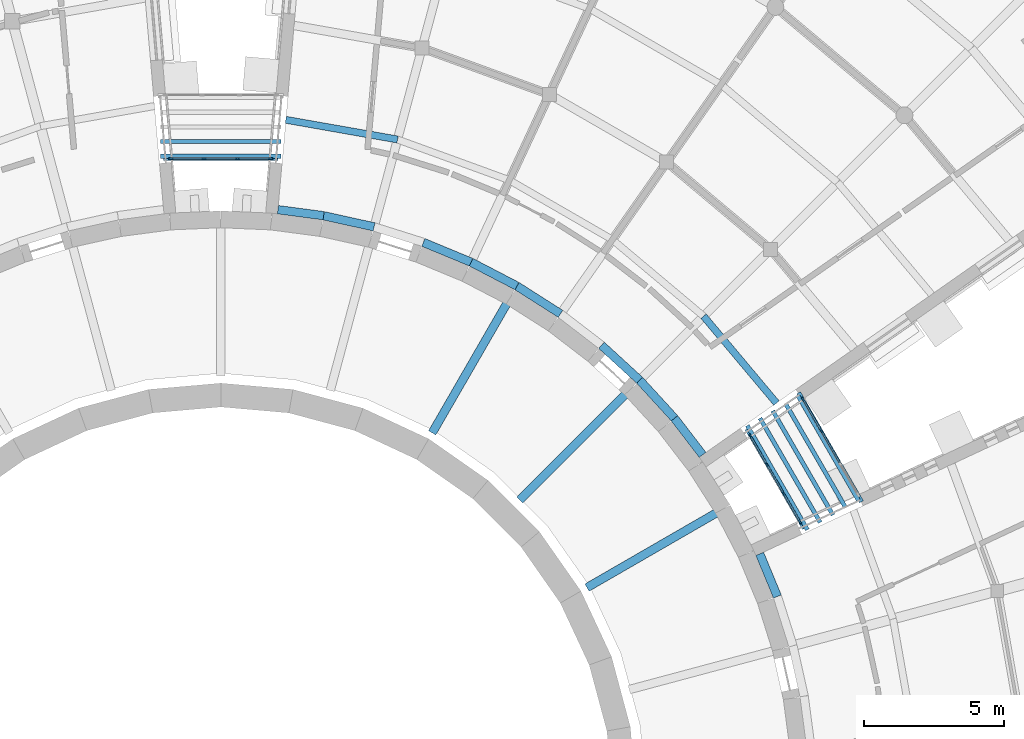
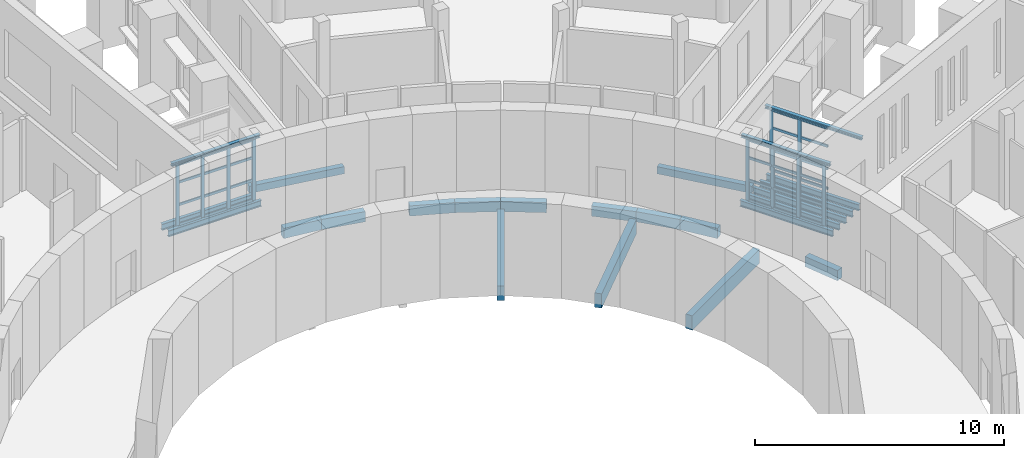
# One storey, part 13 of 66: 42 members, 24 beams, 3 elements without a shape of their own.
"""IFC4 building model written with IfcOpenShell, lengths in metres."""

from ifc_helpers import new_model, si_unit, direction, frame, origin, origin_2d, place, context, subcontext, project, spatial, rectangle, i_section, extrude, material, layer, layer_set, material_profile, profile_set, type_object, element, aggregate, save


model = new_model("IFC4")

# Units and contexts
model_context = context("Model", 3, precision=1e-05, world=origin(), true_north=direction((0.0, 1.0)))
body_context = subcontext(model_context, "Body", "Model", "MODEL_VIEW")
ifc_project = project(units=[si_unit("LENGTHUNIT", "METRE"), si_unit("AREAUNIT", "SQUARE_METRE"), si_unit("VOLUMEUNIT", "CUBIC_METRE"), si_unit("PLANEANGLEUNIT", "RADIAN"), si_unit("MASSUNIT", "GRAM", prefix="KILO")], contexts=[model_context])

# Site, building, storey
site_placement = place(None, origin())
site = spatial("IfcSite", under=ifc_project, at=site_placement, CompositionType="ELEMENT")
building_placement = place(site_placement, origin())
building = spatial("IfcBuilding", under=site, at=building_placement, Name="Volute Hill Aquarium", CompositionType="ELEMENT")
storey_placement = place(building_placement, frame((0.0, 0.0, 4.60009765625)))
storey = spatial("IfcBuildingStorey", under=building, at=storey_placement, Name="L02", CompositionType="ELEMENT", Elevation=4.60009765625)

# Beams
ifc_material_1 = material(Name="Steel S355", Category="steel")
ifc_material_profile_1 = material_profile(ifc_material_1, i_section(OverallWidth=0.14990234375, OverallDepth=0.300048828125, WebThickness=0.007080078125, FlangeThickness=0.0107421875, FilletRadius=0.014892578125, at=origin_2d()), Name="IPE 300")
ifc_profile_set_1 = profile_set([ifc_material_profile_1], Name="Steel S355")
beam_type_1 = type_object("IfcBeamType", Name="Bridge deck beam IPE 300", PredefinedType="BEAM", material=ifc_profile_set_1)
for number, where, z_axis, x_axis, name in (
    (1, (20.94970703125, 9.614013671875, -0.300048828125), (-0.499987977232, 0.866032345022, 0.0), (-0.866032345022, -0.499987977232, 0.0), "br/SC5/L02/db0"),
    (2, (21.404296875, 9.87646484375, -0.300048828125), (-0.499945371805, 0.86605694109, 0.0), (-0.86605694109, -0.499945371805, 0.0), "br/SC5/L02/db1"),
    (3, (21.859130859375, 10.138916015625, -0.300048828125), (-0.499987977232, 0.866032345022, 0.0), (-0.866032345022, -0.499987977232, 0.0), "br/SC5/L02/db2"),
    (4, (22.313720703125, 10.4013671875, -0.300048828125), (-0.499987977232, 0.866032345022, 0.0), (-0.866032345022, -0.499987977232, 0.0), "br/SC5/L02/db3"),
    (5, (22.768310546875, 10.663818359375, -0.300048828125), (-0.499987977232, 0.866032345022, 0.0), (-0.866032345022, -0.499987977232, 0.0), "br/SC5/L02/db4"),
    (6, (2.14892578125, 22.949951171875, -0.300048828125), (-1.0, 0.0, 0.0), (0.0, -1.0, 0.0), "br/SC6/L02/db0"),
    (7, (2.14892578125, 23.47509765625, -0.300048828125), (-1.0, 0.0, 0.0), (0.0, -1.0, 0.0), "br/SC6/L02/db1"),
):
    element("IfcBeam", number, at=place(storey_placement, frame(where, z_axis=z_axis, x_axis=x_axis)), inside=storey, type_object=beam_type_1, Name=name, PredefinedType="BEAM", context=body_context, shape_type="SweptSolid", body=[
        extrude(i_section(OverallWidth=0.14990234375, OverallDepth=0.300048828125, WebThickness=0.007080078125, FlangeThickness=0.0107421875, FilletRadius=0.014892578125, at=origin_2d()), origin(), (0.0, 0.0, 1.0), 4.2978515625),
    ])

# Curtain wall, members
ifc_material_2 = material(Name="Aluminium and glass", Category="aluminium")
ifc_layer = layer(ifc_material_2, 0.1201171875)
ifc_layer_set = layer_set([ifc_layer], Name="Bridge curtain wall")
curtain_wall_type = type_object("IfcCurtainWallType", Name="Bridge curtain wall", PredefinedType="NOTDEFINED", material=ifc_layer_set)
curtain_wall_1_placement = place(storey_placement, origin())
curtain_wall_1 = element("IfcCurtainWall", 8, at=curtain_wall_1_placement, inside=storey, type_object=curtain_wall_type, Name="br/SC5/L02/cwa", PredefinedType="NOTDEFINED")
ifc_material_3 = material(Name="Aluminium", Category="aluminium")
ifc_material_profile_2 = material_profile(ifc_material_3, rectangle(XDim=0.06005859375, YDim=0.159912109375, at=origin_2d()), Name="Aluminium mullion 60x160")
ifc_profile_set_2 = profile_set([ifc_material_profile_2], Name="Aluminium")
member_type_1 = type_object("IfcMemberType", Name="Bridge mullion 60x160", PredefinedType="MULLION", material=ifc_profile_set_2)
member_1_placement = place(storey_placement, frame((20.681884765625, 9.897705078125, 0.0), z_axis=(0.0, 0.0, 1.0), x_axis=(-0.866019914131, -0.500009508239, 0.0)))
member_1 = element("IfcMember", 9, at=member_1_placement, type_object=member_type_1, Name="BR5 mullion 1", PredefinedType="MULLION", context=body_context, shape_type="SweptSolid", body=[
    extrude(rectangle(XDim=0.06005859375, YDim=0.159912109375, at=origin_2d()), origin(), (0.0, 0.0, 1.0), 3.0),
])
member_2_placement = place(storey_placement, frame((20.09716796875, 10.91064453125, 0.0), z_axis=(0.0, 0.0, 1.0), x_axis=(-0.866019914131, -0.500009508239, 0.0)))
member_2 = element("IfcMember", 10, at=member_2_placement, type_object=member_type_1, Name="BR5 mullion 2", PredefinedType="MULLION", context=body_context, shape_type="SweptSolid", body=[
    extrude(rectangle(XDim=0.06005859375, YDim=0.159912109375, at=origin_2d()), origin(), (0.0, 0.0, 1.0), 3.0),
])
member_3_placement = place(storey_placement, frame((19.49755859375, 11.949462890625, 0.0), z_axis=(0.0, 0.0, 1.0), x_axis=(-0.866019914131, -0.500009508239, 0.0)))
member_3 = element("IfcMember", 11, at=member_3_placement, type_object=member_type_1, Name="BR5 mullion 3", PredefinedType="MULLION", context=body_context, shape_type="SweptSolid", body=[
    extrude(rectangle(XDim=0.06005859375, YDim=0.159912109375, at=origin_2d()), origin(), (0.0, 0.0, 1.0), 3.0),
])
member_4_placement = place(storey_placement, frame((18.91259765625, 12.962158203125, 0.0), z_axis=(0.0, 0.0, 1.0), x_axis=(-0.866019914131, -0.500009508239, 0.0)))
member_4 = element("IfcMember", 12, at=member_4_placement, type_object=member_type_1, Name="BR5 mullion 4", PredefinedType="MULLION", context=body_context, shape_type="SweptSolid", body=[
    extrude(rectangle(XDim=0.06005859375, YDim=0.159912109375, at=origin_2d()), origin(), (0.0, 0.0, 1.0), 3.0),
])

curtain_wall_2_placement = place(storey_placement, origin())
curtain_wall_2 = element("IfcCurtainWall", 13, at=curtain_wall_2_placement, inside=storey, type_object=curtain_wall_type, Name="br/SC5/L02/cwb", PredefinedType="NOTDEFINED")
member_5_placement = place(storey_placement, frame((21.438720703125, 13.14697265625, 0.0), z_axis=(0.0, 0.0, 1.0), x_axis=(-0.866022279881, -0.50000541072, 0.0)))
member_5 = element("IfcMember", 14, at=member_5_placement, type_object=member_type_1, Name="BR5 mullion 3", PredefinedType="MULLION", context=body_context, shape_type="SweptSolid", body=[
    extrude(rectangle(XDim=0.06005859375, YDim=0.159912109375, at=origin_2d()), origin(), (0.0, 0.0, 1.0), 3.0),
])
member_6_placement = place(storey_placement, frame((20.78759765625, 14.27490234375, 0.0), z_axis=(0.0, 0.0, 1.0), x_axis=(-0.866022279881, -0.50000541072, 0.0)))
member_6 = element("IfcMember", 15, at=member_6_placement, type_object=member_type_1, Name="BR5 mullion 4", PredefinedType="MULLION", context=body_context, shape_type="SweptSolid", body=[
    extrude(rectangle(XDim=0.06005859375, YDim=0.159912109375, at=origin_2d()), origin(), (0.0, 0.0, 1.0), 3.0),
])

curtain_wall_3_placement = place(storey_placement, origin())
curtain_wall_3 = element("IfcCurtainWall", 16, at=curtain_wall_3_placement, inside=storey, type_object=curtain_wall_type, Name="br/SC6/L02/cwa", PredefinedType="NOTDEFINED")
member_7_placement = place(storey_placement, frame((1.769287109375, 22.860107421875, 0.0), z_axis=(0.0, 0.0, 1.0), x_axis=(0.0, -1.0, 0.0)))
member_7 = element("IfcMember", 17, at=member_7_placement, type_object=member_type_1, Name="BR5 mullion 1", PredefinedType="MULLION", context=body_context, shape_type="SweptSolid", body=[
    extrude(rectangle(XDim=0.06005859375, YDim=0.159912109375, at=origin_2d()), origin(), (0.0, 0.0, 1.0), 3.0),
])
member_8_placement = place(storey_placement, frame((0.599853515625, 22.860107421875, 0.0), z_axis=(0.0, 0.0, 1.0), x_axis=(0.0, -1.0, 0.0)))
member_8 = element("IfcMember", 18, at=member_8_placement, type_object=member_type_1, Name="BR5 mullion 2", PredefinedType="MULLION", context=body_context, shape_type="SweptSolid", body=[
    extrude(rectangle(XDim=0.06005859375, YDim=0.159912109375, at=origin_2d()), origin(), (0.0, 0.0, 1.0), 3.0),
])
member_9_placement = place(storey_placement, frame((-0.599853515625, 22.860107421875, 0.0), z_axis=(0.0, 0.0, 1.0), x_axis=(0.0, -1.0, 0.0)))
member_9 = element("IfcMember", 19, at=member_9_placement, type_object=member_type_1, Name="BR5 mullion 3", PredefinedType="MULLION", context=body_context, shape_type="SweptSolid", body=[
    extrude(rectangle(XDim=0.06005859375, YDim=0.159912109375, at=origin_2d()), origin(), (0.0, 0.0, 1.0), 3.0),
])
member_10_placement = place(storey_placement, frame((-1.769287109375, 22.860107421875, 0.0), z_axis=(0.0, 0.0, 1.0), x_axis=(0.0, -1.0, 0.0)))
member_10 = element("IfcMember", 20, at=member_10_placement, type_object=member_type_1, Name="BR5 mullion 4", PredefinedType="MULLION", context=body_context, shape_type="SweptSolid", body=[
    extrude(rectangle(XDim=0.06005859375, YDim=0.159912109375, at=origin_2d()), origin(), (0.0, 0.0, 1.0), 3.0),
])

# Beams
ifc_material_4 = material(Name="Steel S355", Category="steel")
ifc_material_profile_3 = material_profile(ifc_material_4, i_section(OverallWidth=0.159912109375, OverallDepth=0.152099609375, WebThickness=0.006103515625, FlangeThickness=0.009033203125, FilletRadius=0.014892578125, at=origin_2d()), Name="HEA 160")
ifc_profile_set_3 = profile_set([ifc_material_profile_3], Name="Steel S355")
beam_type_2 = type_object("IfcBeamType", Name="Bridge roof edge beam HEA 160", PredefinedType="BEAM", material=ifc_profile_set_3)
beam_1_placement = place(storey_placement, frame((20.840087890625, 9.663818359375, 3.075927734375), z_axis=(-0.499954299598, 0.866051787316, 0.0), x_axis=(-0.866051787316, -0.499954299598, 0.0)))
element("IfcBeam", 21, at=beam_1_placement, inside=storey, type_object=beam_type_2, Name="br/SC5/L02/rba", PredefinedType="BEAM", context=body_context, shape_type="SweptSolid", body=[
    extrude(i_section(OverallWidth=0.159912109375, OverallDepth=0.152099609375, WebThickness=0.006103515625, FlangeThickness=0.009033203125, FilletRadius=0.014892578125, at=origin_2d()), origin(), (0.0, 0.0, 1.0), 4.10205078125),
])
beam_2_placement = place(storey_placement, frame((22.8779296875, 10.614013671875, 3.075927734375), z_axis=(-0.499977970989, 0.866038121866, 0.0), x_axis=(-0.866038121866, -0.499977970989, 0.0)))
element("IfcBeam", 22, at=beam_2_placement, inside=storey, type_object=beam_type_2, Name="br/SC5/L02/rbb", PredefinedType="BEAM", context=body_context, shape_type="SweptSolid", body=[
    extrude(i_section(OverallWidth=0.159912109375, OverallDepth=0.152099609375, WebThickness=0.006103515625, FlangeThickness=0.009033203125, FilletRadius=0.014892578125, at=origin_2d()), origin(), (0.0, 0.0, 1.0), 4.493896484375),
])
beam_3_placement = place(storey_placement, frame((2.051025390625, 22.8798828125, 3.075927734375), z_axis=(-1.0, 0.0, 0.0), x_axis=(0.0, -1.0, 0.0)))
element("IfcBeam", 23, at=beam_3_placement, inside=storey, type_object=beam_type_2, Name="br/SC6/L02/rba", PredefinedType="BEAM", context=body_context, shape_type="SweptSolid", body=[
    extrude(i_section(OverallWidth=0.159912109375, OverallDepth=0.152099609375, WebThickness=0.006103515625, FlangeThickness=0.009033203125, FilletRadius=0.014892578125, at=origin_2d()), origin(), (0.0, 0.0, 1.0), 4.10205078125),
])

# Member
ifc_material_5 = material(Name="Aluminium", Category="aluminium")
ifc_material_profile_4 = material_profile(ifc_material_5, rectangle(XDim=0.06005859375, YDim=0.1201171875, at=origin_2d()), Name="Aluminium transom 60x120")
ifc_profile_set_4 = profile_set([ifc_material_profile_4], Name="Aluminium")
member_type_2 = type_object("IfcMemberType", Name="Bridge transom 60x120", PredefinedType="USERDEFINED", material=ifc_profile_set_4)
member_11_placement = place(storey_placement, frame((20.6669921875, 9.923828125, 0.02978515625), z_axis=(-0.500020911392, 0.86601333025, 0.0), x_axis=(-0.86601333025, -0.500020911392, 0.0)))
member_11 = element("IfcMember", 24, at=member_11_placement, type_object=member_type_2, Name="BR5 transom 1.1", ObjectType="TRANSOM", PredefinedType="USERDEFINED", context=body_context, shape_type="SweptSolid", body=[
    extrude(rectangle(XDim=0.06005859375, YDim=0.1201171875, at=origin_2d()), origin(), (0.0, 0.0, 1.0), 1.109375),
])

member_12_placement = place(storey_placement, frame((20.6669921875, 9.923828125, 1.0), z_axis=(-0.500020911392, 0.86601333025, 0.0), x_axis=(-0.86601333025, -0.500020911392, 0.0)))
member_12 = element("IfcMember", 25, at=member_12_placement, type_object=member_type_2, Name="BR5 transom 1.2", ObjectType="TRANSOM", PredefinedType="USERDEFINED", context=body_context, shape_type="SweptSolid", body=[
    extrude(rectangle(XDim=0.06005859375, YDim=0.1201171875, at=origin_2d()), origin(), (0.0, 0.0, 1.0), 1.109375),
])

member_13_placement = place(storey_placement, frame((20.6669921875, 9.923828125, 2.099853515625), z_axis=(-0.500020911392, 0.86601333025, 0.0), x_axis=(-0.86601333025, -0.500020911392, 0.0)))
member_13 = element("IfcMember", 26, at=member_13_placement, type_object=member_type_2, Name="BR5 transom 1.3", ObjectType="TRANSOM", PredefinedType="USERDEFINED", context=body_context, shape_type="SweptSolid", body=[
    extrude(rectangle(XDim=0.06005859375, YDim=0.1201171875, at=origin_2d()), origin(), (0.0, 0.0, 1.0), 1.109375),
])

member_14_placement = place(storey_placement, frame((20.6669921875, 9.923828125, 2.969970703125), z_axis=(-0.500020911392, 0.86601333025, 0.0), x_axis=(-0.86601333025, -0.500020911392, 0.0)))
member_14 = element("IfcMember", 27, at=member_14_placement, type_object=member_type_2, Name="BR5 transom 1.4", ObjectType="TRANSOM", PredefinedType="USERDEFINED", context=body_context, shape_type="SweptSolid", body=[
    extrude(rectangle(XDim=0.06005859375, YDim=0.1201171875, at=origin_2d()), origin(), (0.0, 0.0, 1.0), 1.109375),
])

member_15_placement = place(storey_placement, frame((20.082275390625, 10.9365234375, 0.02978515625), z_axis=(-0.500056273262, 0.865992911964, 0.0), x_axis=(-0.865992911964, -0.500056273262, 0.0)))
member_15 = element("IfcMember", 28, at=member_15_placement, type_object=member_type_2, Name="BR5 transom 2.1", ObjectType="TRANSOM", PredefinedType="USERDEFINED", context=body_context, shape_type="SweptSolid", body=[
    extrude(rectangle(XDim=0.06005859375, YDim=0.1201171875, at=origin_2d()), origin(), (0.0, 0.0, 1.0), 1.139404296875),
])

member_16_placement = place(storey_placement, frame((20.082275390625, 10.9365234375, 1.0), z_axis=(-0.500056273262, 0.865992911964, 0.0), x_axis=(-0.865992911964, -0.500056273262, 0.0)))
member_16 = element("IfcMember", 29, at=member_16_placement, type_object=member_type_2, Name="BR5 transom 2.2", ObjectType="TRANSOM", PredefinedType="USERDEFINED", context=body_context, shape_type="SweptSolid", body=[
    extrude(rectangle(XDim=0.06005859375, YDim=0.1201171875, at=origin_2d()), origin(), (0.0, 0.0, 1.0), 1.139404296875),
])

member_17_placement = place(storey_placement, frame((20.082275390625, 10.9365234375, 2.099853515625), z_axis=(-0.500056273262, 0.865992911964, 0.0), x_axis=(-0.865992911964, -0.500056273262, 0.0)))
member_17 = element("IfcMember", 30, at=member_17_placement, type_object=member_type_2, Name="BR5 transom 2.3", ObjectType="TRANSOM", PredefinedType="USERDEFINED", context=body_context, shape_type="SweptSolid", body=[
    extrude(rectangle(XDim=0.06005859375, YDim=0.1201171875, at=origin_2d()), origin(), (0.0, 0.0, 1.0), 1.139404296875),
])

member_18_placement = place(storey_placement, frame((20.082275390625, 10.9365234375, 2.969970703125), z_axis=(-0.500056273262, 0.865992911964, 0.0), x_axis=(-0.865992911964, -0.500056273262, 0.0)))
member_18 = element("IfcMember", 31, at=member_18_placement, type_object=member_type_2, Name="BR5 transom 2.4", ObjectType="TRANSOM", PredefinedType="USERDEFINED", context=body_context, shape_type="SweptSolid", body=[
    extrude(rectangle(XDim=0.06005859375, YDim=0.1201171875, at=origin_2d()), origin(), (0.0, 0.0, 1.0), 1.139404296875),
])

member_19_placement = place(storey_placement, frame((19.482421875, 11.975341796875, 0.02978515625), z_axis=(-0.499925626596, 0.866068339032, 0.0), x_axis=(-0.866068339032, -0.499925626596, 0.0)))
member_19 = element("IfcMember", 32, at=member_19_placement, type_object=member_type_2, Name="BR5 transom 3.1", ObjectType="TRANSOM", PredefinedType="USERDEFINED", context=body_context, shape_type="SweptSolid", body=[
    extrude(rectangle(XDim=0.06005859375, YDim=0.1201171875, at=origin_2d()), origin(), (0.0, 0.0, 1.0), 1.109619140625),
])

member_20_placement = place(storey_placement, frame((19.482421875, 11.975341796875, 1.0), z_axis=(-0.499925626596, 0.866068339032, 0.0), x_axis=(-0.866068339032, -0.499925626596, 0.0)))
member_20 = element("IfcMember", 33, at=member_20_placement, type_object=member_type_2, Name="BR5 transom 3.2", ObjectType="TRANSOM", PredefinedType="USERDEFINED", context=body_context, shape_type="SweptSolid", body=[
    extrude(rectangle(XDim=0.06005859375, YDim=0.1201171875, at=origin_2d()), origin(), (0.0, 0.0, 1.0), 1.109619140625),
])

member_21_placement = place(storey_placement, frame((19.482421875, 11.975341796875, 2.099853515625), z_axis=(-0.499925626596, 0.866068339032, 0.0), x_axis=(-0.866068339032, -0.499925626596, 0.0)))
member_21 = element("IfcMember", 34, at=member_21_placement, type_object=member_type_2, Name="BR5 transom 3.3", ObjectType="TRANSOM", PredefinedType="USERDEFINED", context=body_context, shape_type="SweptSolid", body=[
    extrude(rectangle(XDim=0.06005859375, YDim=0.1201171875, at=origin_2d()), origin(), (0.0, 0.0, 1.0), 1.109619140625),
])

member_22_placement = place(storey_placement, frame((19.482421875, 11.975341796875, 2.969970703125), z_axis=(-0.499925626596, 0.866068339032, 0.0), x_axis=(-0.866068339032, -0.499925626596, 0.0)))
member_22 = element("IfcMember", 35, at=member_22_placement, type_object=member_type_2, Name="BR5 transom 3.4", ObjectType="TRANSOM", PredefinedType="USERDEFINED", context=body_context, shape_type="SweptSolid", body=[
    extrude(rectangle(XDim=0.06005859375, YDim=0.1201171875, at=origin_2d()), origin(), (0.0, 0.0, 1.0), 1.109619140625),
])

aggregate(curtain_wall_1, [member_1, member_2, member_3, member_4, member_11, member_12, member_13, member_14, member_15, member_16, member_17, member_18, member_19, member_20, member_21, member_22])

member_23_placement = place(storey_placement, frame((22.090087890625, 12.01904296875, 0.02978515625), z_axis=(-0.50012098021, 0.86595554456, 0.0), x_axis=(-0.86595554456, -0.50012098021, 0.0)))
member_23 = element("IfcMember", 36, at=member_23_placement, type_object=member_type_2, Name="BR5 transom 2.1", ObjectType="TRANSOM", PredefinedType="USERDEFINED", context=body_context, shape_type="SweptSolid", body=[
    extrude(rectangle(XDim=0.06005859375, YDim=0.1201171875, at=origin_2d()), origin(), (0.0, 0.0, 1.0), 1.272705078125),
])

member_24_placement = place(storey_placement, frame((22.090087890625, 12.01904296875, 1.0), z_axis=(-0.50012098021, 0.86595554456, 0.0), x_axis=(-0.86595554456, -0.50012098021, 0.0)))
member_24 = element("IfcMember", 37, at=member_24_placement, type_object=member_type_2, Name="BR5 transom 2.2", ObjectType="TRANSOM", PredefinedType="USERDEFINED", context=body_context, shape_type="SweptSolid", body=[
    extrude(rectangle(XDim=0.06005859375, YDim=0.1201171875, at=origin_2d()), origin(), (0.0, 0.0, 1.0), 1.272705078125),
])

member_25_placement = place(storey_placement, frame((22.090087890625, 12.01904296875, 2.099853515625), z_axis=(-0.50012098021, 0.86595554456, 0.0), x_axis=(-0.86595554456, -0.50012098021, 0.0)))
member_25 = element("IfcMember", 38, at=member_25_placement, type_object=member_type_2, Name="BR5 transom 2.3", ObjectType="TRANSOM", PredefinedType="USERDEFINED", context=body_context, shape_type="SweptSolid", body=[
    extrude(rectangle(XDim=0.06005859375, YDim=0.1201171875, at=origin_2d()), origin(), (0.0, 0.0, 1.0), 1.272705078125),
])

member_26_placement = place(storey_placement, frame((22.090087890625, 12.01904296875, 2.969970703125), z_axis=(-0.50012098021, 0.86595554456, 0.0), x_axis=(-0.86595554456, -0.50012098021, 0.0)))
member_26 = element("IfcMember", 39, at=member_26_placement, type_object=member_type_2, Name="BR5 transom 2.4", ObjectType="TRANSOM", PredefinedType="USERDEFINED", context=body_context, shape_type="SweptSolid", body=[
    extrude(rectangle(XDim=0.06005859375, YDim=0.1201171875, at=origin_2d()), origin(), (0.0, 0.0, 1.0), 1.272705078125),
])

member_27_placement = place(storey_placement, frame((21.423828125, 13.1728515625, 0.02978515625), z_axis=(-0.500005895944, 0.866021999733, 0.0), x_axis=(-0.866021999733, -0.500005895944, 0.0)))
member_27 = element("IfcMember", 40, at=member_27_placement, type_object=member_type_2, Name="BR5 transom 3.1", ObjectType="TRANSOM", PredefinedType="USERDEFINED", context=body_context, shape_type="SweptSolid", body=[
    extrude(rectangle(XDim=0.06005859375, YDim=0.1201171875, at=origin_2d()), origin(), (0.0, 0.0, 1.0), 1.24267578125),
])

member_28_placement = place(storey_placement, frame((21.423828125, 13.1728515625, 1.0), z_axis=(-0.500005895944, 0.866021999733, 0.0), x_axis=(-0.866021999733, -0.500005895944, 0.0)))
member_28 = element("IfcMember", 41, at=member_28_placement, type_object=member_type_2, Name="BR5 transom 3.2", ObjectType="TRANSOM", PredefinedType="USERDEFINED", context=body_context, shape_type="SweptSolid", body=[
    extrude(rectangle(XDim=0.06005859375, YDim=0.1201171875, at=origin_2d()), origin(), (0.0, 0.0, 1.0), 1.24267578125),
])

member_29_placement = place(storey_placement, frame((21.423828125, 13.1728515625, 2.099853515625), z_axis=(-0.500005895944, 0.866021999733, 0.0), x_axis=(-0.866021999733, -0.500005895944, 0.0)))
member_29 = element("IfcMember", 42, at=member_29_placement, type_object=member_type_2, Name="BR5 transom 3.3", ObjectType="TRANSOM", PredefinedType="USERDEFINED", context=body_context, shape_type="SweptSolid", body=[
    extrude(rectangle(XDim=0.06005859375, YDim=0.1201171875, at=origin_2d()), origin(), (0.0, 0.0, 1.0), 1.24267578125),
])

member_30_placement = place(storey_placement, frame((21.423828125, 13.1728515625, 2.969970703125), z_axis=(-0.500005895944, 0.866021999733, 0.0), x_axis=(-0.866021999733, -0.500005895944, 0.0)))
member_30 = element("IfcMember", 43, at=member_30_placement, type_object=member_type_2, Name="BR5 transom 3.4", ObjectType="TRANSOM", PredefinedType="USERDEFINED", context=body_context, shape_type="SweptSolid", body=[
    extrude(rectangle(XDim=0.06005859375, YDim=0.1201171875, at=origin_2d()), origin(), (0.0, 0.0, 1.0), 1.24267578125),
])

aggregate(curtain_wall_2, [member_5, member_6, member_23, member_24, member_25, member_26, member_27, member_28, member_29, member_30])

member_31_placement = place(storey_placement, frame((1.7392578125, 22.860107421875, 0.02978515625), z_axis=(-1.0, 0.0, 0.0), x_axis=(0.0, -1.0, 0.0)))
member_31 = element("IfcMember", 44, at=member_31_placement, type_object=member_type_2, Name="BR5 transom 1.1", ObjectType="TRANSOM", PredefinedType="USERDEFINED", context=body_context, shape_type="SweptSolid", body=[
    extrude(rectangle(XDim=0.06005859375, YDim=0.1201171875, at=origin_2d()), origin(), (0.0, 0.0, 1.0), 1.109619140625),
])

member_32_placement = place(storey_placement, frame((1.7392578125, 22.860107421875, 1.0), z_axis=(-1.0, 0.0, 0.0), x_axis=(0.0, -1.0, 0.0)))
member_32 = element("IfcMember", 45, at=member_32_placement, type_object=member_type_2, Name="BR5 transom 1.2", ObjectType="TRANSOM", PredefinedType="USERDEFINED", context=body_context, shape_type="SweptSolid", body=[
    extrude(rectangle(XDim=0.06005859375, YDim=0.1201171875, at=origin_2d()), origin(), (0.0, 0.0, 1.0), 1.109619140625),
])

member_33_placement = place(storey_placement, frame((1.7392578125, 22.860107421875, 2.099853515625), z_axis=(-1.0, 0.0, 0.0), x_axis=(0.0, -1.0, 0.0)))
member_33 = element("IfcMember", 46, at=member_33_placement, type_object=member_type_2, Name="BR5 transom 1.3", ObjectType="TRANSOM", PredefinedType="USERDEFINED", context=body_context, shape_type="SweptSolid", body=[
    extrude(rectangle(XDim=0.06005859375, YDim=0.1201171875, at=origin_2d()), origin(), (0.0, 0.0, 1.0), 1.109619140625),
])

member_34_placement = place(storey_placement, frame((1.7392578125, 22.860107421875, 2.969970703125), z_axis=(-1.0, 0.0, 0.0), x_axis=(0.0, -1.0, 0.0)))
member_34 = element("IfcMember", 47, at=member_34_placement, type_object=member_type_2, Name="BR5 transom 1.4", ObjectType="TRANSOM", PredefinedType="USERDEFINED", context=body_context, shape_type="SweptSolid", body=[
    extrude(rectangle(XDim=0.06005859375, YDim=0.1201171875, at=origin_2d()), origin(), (0.0, 0.0, 1.0), 1.109619140625),
])

member_35_placement = place(storey_placement, frame((0.56982421875, 22.860107421875, 0.02978515625), z_axis=(-1.0, 0.0, 0.0), x_axis=(0.0, -1.0, 0.0)))
member_35 = element("IfcMember", 48, at=member_35_placement, type_object=member_type_2, Name="BR5 transom 2.1", ObjectType="TRANSOM", PredefinedType="USERDEFINED", context=body_context, shape_type="SweptSolid", body=[
    extrude(rectangle(XDim=0.06005859375, YDim=0.1201171875, at=origin_2d()), origin(), (0.0, 0.0, 1.0), 1.1396484375),
])

member_36_placement = place(storey_placement, frame((0.56982421875, 22.860107421875, 1.0), z_axis=(-1.0, 0.0, 0.0), x_axis=(0.0, -1.0, 0.0)))
member_36 = element("IfcMember", 49, at=member_36_placement, type_object=member_type_2, Name="BR5 transom 2.2", ObjectType="TRANSOM", PredefinedType="USERDEFINED", context=body_context, shape_type="SweptSolid", body=[
    extrude(rectangle(XDim=0.06005859375, YDim=0.1201171875, at=origin_2d()), origin(), (0.0, 0.0, 1.0), 1.1396484375),
])

member_37_placement = place(storey_placement, frame((0.56982421875, 22.860107421875, 2.099853515625), z_axis=(-1.0, 0.0, 0.0), x_axis=(0.0, -1.0, 0.0)))
member_37 = element("IfcMember", 50, at=member_37_placement, type_object=member_type_2, Name="BR5 transom 2.3", ObjectType="TRANSOM", PredefinedType="USERDEFINED", context=body_context, shape_type="SweptSolid", body=[
    extrude(rectangle(XDim=0.06005859375, YDim=0.1201171875, at=origin_2d()), origin(), (0.0, 0.0, 1.0), 1.1396484375),
])

member_38_placement = place(storey_placement, frame((0.56982421875, 22.860107421875, 2.969970703125), z_axis=(-1.0, 0.0, 0.0), x_axis=(0.0, -1.0, 0.0)))
member_38 = element("IfcMember", 51, at=member_38_placement, type_object=member_type_2, Name="BR5 transom 2.4", ObjectType="TRANSOM", PredefinedType="USERDEFINED", context=body_context, shape_type="SweptSolid", body=[
    extrude(rectangle(XDim=0.06005859375, YDim=0.1201171875, at=origin_2d()), origin(), (0.0, 0.0, 1.0), 1.1396484375),
])

member_39_placement = place(storey_placement, frame((-0.629638671875, 22.860107421875, 0.02978515625), z_axis=(-1.0, 0.0, 0.0), x_axis=(0.0, -1.0, 0.0)))
member_39 = element("IfcMember", 52, at=member_39_placement, type_object=member_type_2, Name="BR5 transom 3.1", ObjectType="TRANSOM", PredefinedType="USERDEFINED", context=body_context, shape_type="SweptSolid", body=[
    extrude(rectangle(XDim=0.06005859375, YDim=0.1201171875, at=origin_2d()), origin(), (0.0, 0.0, 1.0), 1.109619140625),
])

member_40_placement = place(storey_placement, frame((-0.629638671875, 22.860107421875, 1.0), z_axis=(-1.0, 0.0, 0.0), x_axis=(0.0, -1.0, 0.0)))
member_40 = element("IfcMember", 53, at=member_40_placement, type_object=member_type_2, Name="BR5 transom 3.2", ObjectType="TRANSOM", PredefinedType="USERDEFINED", context=body_context, shape_type="SweptSolid", body=[
    extrude(rectangle(XDim=0.06005859375, YDim=0.1201171875, at=origin_2d()), origin(), (0.0, 0.0, 1.0), 1.109619140625),
])

member_41_placement = place(storey_placement, frame((-0.629638671875, 22.860107421875, 2.099853515625), z_axis=(-1.0, 0.0, 0.0), x_axis=(0.0, -1.0, 0.0)))
member_41 = element("IfcMember", 54, at=member_41_placement, type_object=member_type_2, Name="BR5 transom 3.3", ObjectType="TRANSOM", PredefinedType="USERDEFINED", context=body_context, shape_type="SweptSolid", body=[
    extrude(rectangle(XDim=0.06005859375, YDim=0.1201171875, at=origin_2d()), origin(), (0.0, 0.0, 1.0), 1.109619140625),
])

member_42_placement = place(storey_placement, frame((-0.629638671875, 22.860107421875, 2.969970703125), z_axis=(-1.0, 0.0, 0.0), x_axis=(0.0, -1.0, 0.0)))
member_42 = element("IfcMember", 55, at=member_42_placement, type_object=member_type_2, Name="BR5 transom 3.4", ObjectType="TRANSOM", PredefinedType="USERDEFINED", context=body_context, shape_type="SweptSolid", body=[
    extrude(rectangle(XDim=0.06005859375, YDim=0.1201171875, at=origin_2d()), origin(), (0.0, 0.0, 1.0), 1.109619140625),
])

aggregate(curtain_wall_3, [member_7, member_8, member_9, member_10, member_31, member_32, member_33, member_34, member_35, member_36, member_37, member_38, member_39, member_40, member_41, member_42])

# Beams
ifc_material_6 = material(Name="Concrete C35/45", Category="concrete")
ifc_material_profile_5 = material_profile(ifc_material_6, rectangle(XDim=0.300048828125, YDim=0.5, at=origin_2d()), Name="RC edge beam 300x500")
ifc_profile_set_5 = profile_set([ifc_material_profile_5], Name="Concrete C35/45")
beam_type_3 = type_object("IfcBeamType", Name="Edge beam 300x500 C35/45", PredefinedType="BEAM", material=ifc_profile_set_5)
beam_4_placement = place(storey_placement, frame((19.87451171875, 7.23388671875, -0.489990234375), z_axis=(-0.382675169935, 0.923882954879, 0.0), x_axis=(-0.923882954879, -0.382675169935, 0.0)))
element("IfcBeam", 56, at=beam_4_placement, inside=storey, type_object=beam_type_3, Name="bm/S4/L02/edgeD.28", PredefinedType="BEAM", context=body_context, shape_type="SweptSolid", body=[
    extrude(rectangle(XDim=0.300048828125, YDim=0.5, at=origin_2d()), origin(), (0.0, 0.0, 1.0), 1.644775390625),
])
beam_5_placement = place(storey_placement, frame((17.203369140625, 12.2900390625, -0.5400390625), z_axis=(-0.608820957391, 0.793307659009, 0.0), x_axis=(-0.793307659009, -0.608820957391, 0.0)))
element("IfcBeam", 57, at=beam_5_placement, inside=storey, type_object=beam_type_3, Name="bm/S5/L02/edgeD.32", PredefinedType="BEAM", context=body_context, shape_type="SweptSolid", body=[
    extrude(rectangle(XDim=0.300048828125, YDim=0.5, at=origin_2d()), origin(), (0.0, 0.0, 1.0), 1.64501953125),
])
for number, where, z_axis, x_axis, name in (
    (58, (16.201904296875, 13.594970703125, -0.5400390625), (-0.675604786356, 0.73726397759, 0.0), (-0.73726397759, -0.675604786356, 0.0), "bm/S5/L02/edgeD.33"),
    (59, (14.955322265625, 14.955322265625, -0.5400390625), (-0.73726397759, 0.675604786356, 0.0), (-0.675604786356, -0.73726397759, 0.0), "bm/S5/L02/edgeD.34"),
):
    element("IfcBeam", number, at=place(storey_placement, frame(where, z_axis=z_axis, x_axis=x_axis)), inside=storey, type_object=beam_type_3, Name=name, PredefinedType="BEAM", context=body_context, shape_type="SweptSolid", body=[
        extrude(rectangle(XDim=0.300048828125, YDim=0.5, at=origin_2d()), origin(), (0.0, 0.0, 1.0), 1.84521484375),
    ])
beam_6_placement = place(storey_placement, frame((12.131103515625, 17.3251953125, -0.5400390625), z_axis=(-0.843334400185, 0.537389141558, 0.0), x_axis=(-0.537389141558, -0.843334400185, 0.0)))
element("IfcBeam", 60, at=beam_6_placement, inside=storey, type_object=beam_type_3, Name="bm/S5/L02/edgeD.36", PredefinedType="BEAM", context=body_context, shape_type="SweptSolid", body=[
    extrude(rectangle(XDim=0.300048828125, YDim=0.5, at=origin_2d()), origin(), (0.0, 0.0, 1.0), 1.844970703125),
])
beam_7_placement = place(storey_placement, frame((10.5751953125, 18.316650390625, -0.5400390625), z_axis=(-0.887058600994, 0.461656840523, 0.0), x_axis=(-0.461656840523, -0.887058600994, 0.0)))
element("IfcBeam", 61, at=beam_7_placement, inside=storey, type_object=beam_type_3, Name="bm/S5/L02/edgeD.37", PredefinedType="BEAM", context=body_context, shape_type="SweptSolid", body=[
    extrude(rectangle(XDim=0.300048828125, YDim=0.5, at=origin_2d()), origin(), (0.0, 0.0, 1.0), 1.84521484375),
])
beam_8_placement = place(storey_placement, frame((8.9384765625, 19.16845703125, -0.5400390625), z_axis=(-0.923881361379, 0.382679017059, 0.0), x_axis=(-0.382679017059, -0.923881361379, 0.0)))
element("IfcBeam", 62, at=beam_8_placement, inside=storey, type_object=beam_type_3, Name="bm/S5/L02/edgeD.38", PredefinedType="BEAM", context=body_context, shape_type="SweptSolid", body=[
    extrude(rectangle(XDim=0.300048828125, YDim=0.5, at=origin_2d()), origin(), (0.0, 0.0, 1.0), 1.844970703125),
])
beam_9_placement = place(storey_placement, frame((5.47412109375, 20.429443359375, -0.5400390625), z_axis=(-0.976292789523, 0.216454127071, 0.0), x_axis=(-0.216454127071, -0.976292789523, 0.0)))
element("IfcBeam", 63, at=beam_9_placement, inside=storey, type_object=beam_type_3, Name="bm/S5/L02/edgeD.40", PredefinedType="BEAM", context=body_context, shape_type="SweptSolid", body=[
    extrude(rectangle(XDim=0.300048828125, YDim=0.5, at=origin_2d()), origin(), (0.0, 0.0, 1.0), 1.84521484375),
])
beam_10_placement = place(storey_placement, frame((3.672607421875, 20.828857421875, -0.5400390625), z_axis=(-0.99143407694, 0.130608081992, 0.0), x_axis=(-0.130608081992, -0.99143407694, 0.0)))
element("IfcBeam", 64, at=beam_10_placement, inside=storey, type_object=beam_type_3, Name="bm/S5/L02/edgeD.41", PredefinedType="BEAM", context=body_context, shape_type="SweptSolid", body=[
    extrude(rectangle(XDim=0.300048828125, YDim=0.5, at=origin_2d()), origin(), (0.0, 0.0, 1.0), 1.64501953125),
])
ifc_material_7 = material(Name="Concrete C35/45", Category="concrete")
ifc_material_profile_6 = material_profile(ifc_material_7, rectangle(XDim=0.300048828125, YDim=0.699951171875, at=origin_2d()), Name="RC beam 300x700")
ifc_profile_set_6 = profile_set([ifc_material_profile_6], Name="Concrete C35/45")
beam_type_4 = type_object("IfcBeamType", Name="Gallery beam RC 300x700", PredefinedType="BEAM", material=ifc_profile_set_6)
for number, where, z_axis, x_axis, name in (
    (65, (13.076904296875, 7.550048828125, -0.650146484375), (0.866028230842, 0.499995103361, 0.0), (-0.499995103361, 0.866028230842, 0.0), "bm/DR/L02/2"),
    (66, (10.67724609375, 10.67724609375, -0.650146484375), (0.707106781187, 0.707106781187, 0.0), (-0.707106781187, 0.707106781187, 0.0), "bm/DR/L02/3"),
    (67, (7.550048828125, 13.076904296875, -0.650146484375), (0.499995103361, 0.866028230842, 0.0), (-0.866028230842, 0.499995103361, 0.0), "bm/DR/L02/4"),
):
    element("IfcBeam", number, at=place(storey_placement, frame(where, z_axis=z_axis, x_axis=x_axis)), inside=storey, type_object=beam_type_4, Name=name, PredefinedType="BEAM", context=body_context, shape_type="SweptSolid", body=[
        extrude(rectangle(XDim=0.300048828125, YDim=0.699951171875, at=origin_2d()), origin(), (0.0, 0.0, 1.0), 5.39990234375),
    ])
ifc_material_8 = material(Name="Concrete C35/45", Category="concrete")
ifc_material_profile_7 = material_profile(ifc_material_8, rectangle(XDim=0.25, YDim=0.35009765625, at=origin_2d()), Name="RC joist 250x350")
ifc_profile_set_7 = profile_set([ifc_material_profile_7], Name="Concrete C35/45")
beam_type_5 = type_object("IfcBeamType", Name="Joist 250x350 C35/45", PredefinedType="BEAM", material=ifc_profile_set_7)
beam_11_placement = place(storey_placement, frame((19.843017578125, 14.13818359375, -0.465087890625), z_axis=(-0.642831451893, 0.766007653002, 0.0), x_axis=(-0.766007653002, -0.642831451893, 0.0)))
element("IfcBeam", 68, at=beam_11_placement, inside=storey, type_object=beam_type_5, Name="bm/S5/L02/jst1", PredefinedType="BEAM", context=body_context, shape_type="SweptSolid", body=[
    extrude(rectangle(XDim=0.25, YDim=0.35009765625, at=origin_2d()), origin(), (0.0, 0.0, 1.0), 4.04931640625),
])
beam_12_placement = place(storey_placement, frame((6.310302734375, 23.550537109375, -0.465087890625), z_axis=(-0.984807222766, 0.173651184814, 0.0), x_axis=(-0.173651184814, -0.984807222766, 0.0)))
element("IfcBeam", 69, at=beam_12_placement, inside=storey, type_object=beam_type_5, Name="bm/S5/L02/jst5", PredefinedType="BEAM", context=body_context, shape_type="SweptSolid", body=[
    extrude(rectangle(XDim=0.25, YDim=0.35009765625, at=origin_2d()), origin(), (0.0, 0.0, 1.0), 4.049072265625),
])

save(model, "model.ifc")
